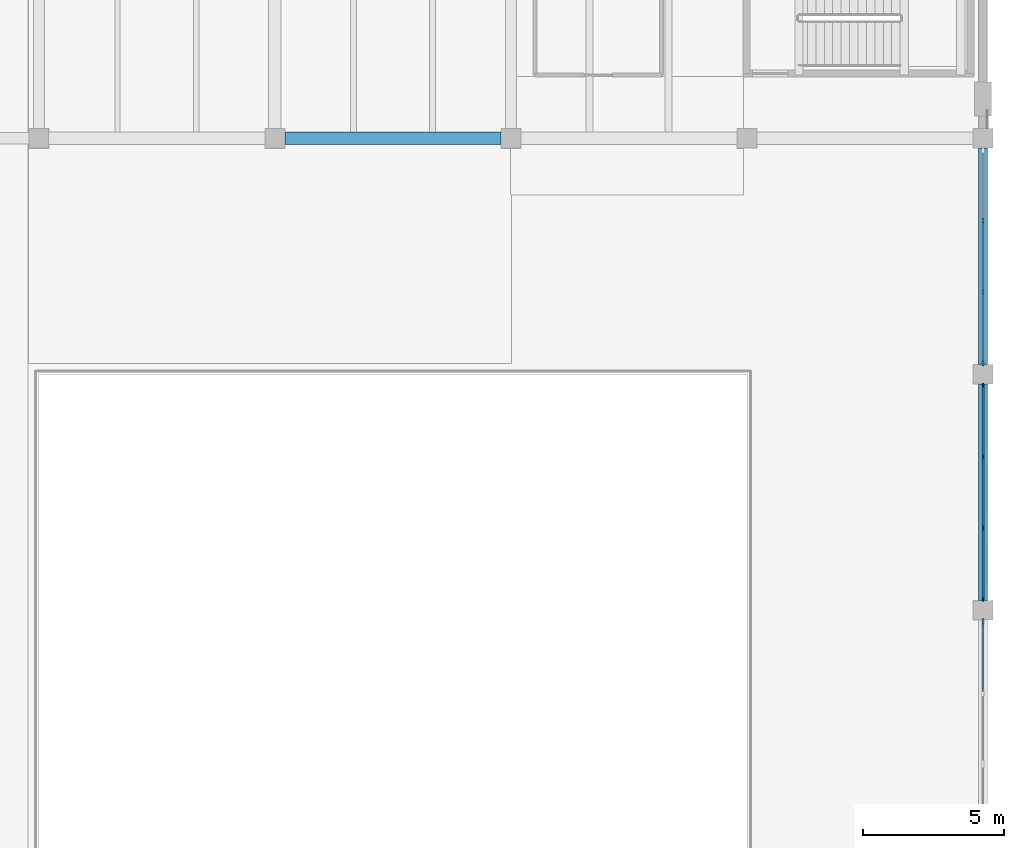
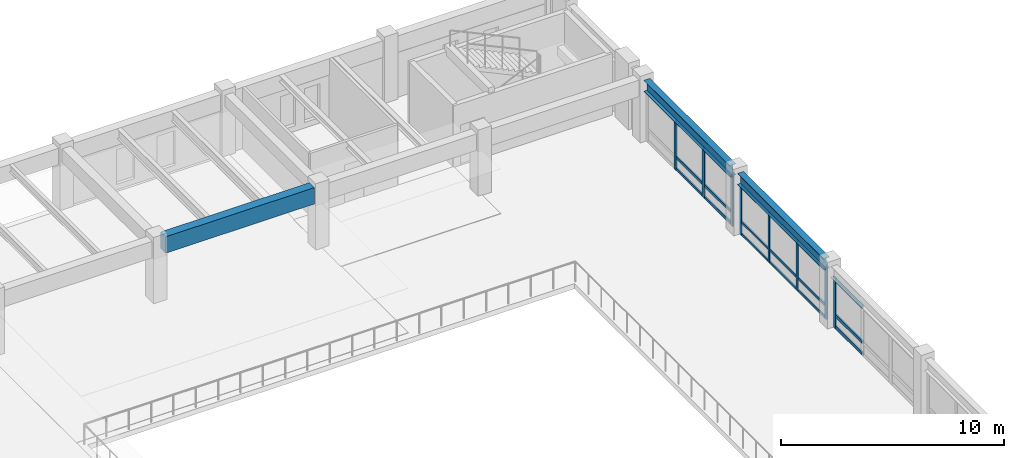
# One storey, part 45 of 118: 26 members, 3 beams, 3 elements without a shape of their own.
"""IFC4 building model written with IfcOpenShell, lengths in metres."""

from ifc_helpers import new_model, si_unit, direction, frame, origin, origin_2d, place, context, subcontext, project, spatial, rectangle, i_section, extrude, material, material_profile, profile_set, type_object, element, aggregate, save


model = new_model("IFC4")

# Units and contexts
model_context = context("Model", 3, precision=1e-05, world=origin(), true_north=direction((0.0, 1.0)))
body_context = subcontext(model_context, "Body", "Model", "MODEL_VIEW")
ifc_project = project(units=[si_unit("LENGTHUNIT", "METRE"), si_unit("AREAUNIT", "SQUARE_METRE"), si_unit("VOLUMEUNIT", "CUBIC_METRE"), si_unit("PLANEANGLEUNIT", "RADIAN"), si_unit("MASSUNIT", "GRAM", prefix="KILO")], contexts=[model_context])

# Site, building, storey
site_placement = place(None, origin())
site = spatial("IfcSite", under=ifc_project, at=site_placement, CompositionType="ELEMENT")
building_placement = place(site_placement, origin())
building = spatial("IfcBuilding", under=site, at=building_placement, Name="Cumbredor Promenade Congress Hotel", CompositionType="ELEMENT")
storey_placement = place(building_placement, frame((0.0, 0.0, 3.919921875)))
storey = spatial("IfcBuildingStorey", under=building, at=storey_placement, Name="L01", CompositionType="ELEMENT", Elevation=3.919921875)

# Curtain wall, members
ifc_material_1 = material(Name="Thermally broken anodized aluminium and low-E glass", Category="aluminium")
curtain_wall_type = type_object("IfcCurtainWallType", Name="Unitised Bronze Curtain Wall CW-01", PredefinedType="NOTDEFINED", material=ifc_material_1)
curtain_wall_1_placement = place(storey_placement, origin())
curtain_wall_1 = element("IfcCurtainWall", 1, at=curtain_wall_1_placement, inside=storey, type_object=curtain_wall_type, Name="L01 Grand Ballroom Pavilion East Curtain Wall 5", PredefinedType="NOTDEFINED")
ifc_material_2 = material(Name="Thermally broken anodized aluminium", Category="aluminium")
ifc_material_profile_1 = material_profile(ifc_material_2, rectangle(XDim=0.06494140625, YDim=0.159912109375, at=origin_2d()), Name="ALU MULLION 65x160")
ifc_profile_set_1 = profile_set([ifc_material_profile_1], Name="Thermally broken anodized aluminium")
member_type_1 = type_object("IfcMemberType", Name="Curtain Wall Mullion ML-01", PredefinedType="MULLION", material=ifc_profile_set_1)
member_1_placement = place(storey_placement, frame((184.800048828125, 42.405029296875, -0.0078125), z_axis=(0.0, 0.0, 1.0), x_axis=(1.0, 0.0, 0.0)))
member_1 = element("IfcMember", 2, at=member_1_placement, type_object=member_type_1, Name="L01 Grand Ballroom Pavilion East Curtain Wall 5 Mullion 1", PredefinedType="MULLION", context=body_context, shape_type="SweptSolid", body=[
    extrude(rectangle(XDim=0.06494140625, YDim=0.159912109375, at=origin_2d()), origin(), (0.0, 0.0, 1.0), 2.75),
])
member_2_placement = place(storey_placement, frame((184.800048828125, 44.93505859375, -0.0078125), z_axis=(0.0, 0.0, 1.0), x_axis=(1.0, 0.0, 0.0)))
member_2 = element("IfcMember", 3, at=member_2_placement, type_object=member_type_1, Name="L01 Grand Ballroom Pavilion East Curtain Wall 5 Mullion 2", PredefinedType="MULLION", context=body_context, shape_type="SweptSolid", body=[
    extrude(rectangle(XDim=0.06494140625, YDim=0.159912109375, at=origin_2d()), origin(), (0.0, 0.0, 1.0), 2.75),
])
member_3_placement = place(storey_placement, frame((184.800048828125, 47.465087890625, -0.0078125), z_axis=(0.0, 0.0, 1.0), x_axis=(1.0, 0.0, 0.0)))
member_3 = element("IfcMember", 4, at=member_3_placement, type_object=member_type_1, Name="L01 Grand Ballroom Pavilion East Curtain Wall 5 Mullion 3", PredefinedType="MULLION", context=body_context, shape_type="SweptSolid", body=[
    extrude(rectangle(XDim=0.06494140625, YDim=0.159912109375, at=origin_2d()), origin(), (0.0, 0.0, 1.0), 2.75),
])
member_4_placement = place(storey_placement, frame((184.800048828125, 49.9951171875, -0.0078125), z_axis=(0.0, 0.0, 1.0), x_axis=(1.0, 0.0, 0.0)))
member_4 = element("IfcMember", 5, at=member_4_placement, type_object=member_type_1, Name="L01 Grand Ballroom Pavilion East Curtain Wall 5 Mullion 4", PredefinedType="MULLION", context=body_context, shape_type="SweptSolid", body=[
    extrude(rectangle(XDim=0.06494140625, YDim=0.159912109375, at=origin_2d()), origin(), (0.0, 0.0, 1.0), 2.75),
])

curtain_wall_2_placement = place(storey_placement, origin())
curtain_wall_2 = element("IfcCurtainWall", 6, at=curtain_wall_2_placement, inside=storey, type_object=curtain_wall_type, Name="L01 Grand Ballroom Pavilion East Curtain Wall 6", PredefinedType="NOTDEFINED")
ifc_material_profile_2 = material_profile(ifc_material_2, rectangle(XDim=0.074951171875, YDim=0.199951171875, at=origin_2d()), Name="ALU MULLION 75x200")
ifc_profile_set_2 = profile_set([ifc_material_profile_2], Name="Thermally broken anodized aluminium")
member_type_2 = type_object("IfcMemberType", Name="Curtain Wall Mullion ML-02", PredefinedType="MULLION", material=ifc_profile_set_2)
member_5_placement = place(storey_placement, frame((184.800048828125, 50.804931640625, -0.0078125), z_axis=(0.0, 0.0, 1.0), x_axis=(1.0, 0.0, 0.0)))
member_5 = element("IfcMember", 7, at=member_5_placement, type_object=member_type_2, Name="L01 Grand Ballroom Pavilion East Curtain Wall 6 Mullion 1", PredefinedType="MULLION", context=body_context, shape_type="SweptSolid", body=[
    extrude(rectangle(XDim=0.074951171875, YDim=0.199951171875, at=origin_2d()), origin(), (0.0, 0.0, 1.0), 2.75),
])
member_6_placement = place(storey_placement, frame((184.800048828125, 53.3349609375, -0.0078125), z_axis=(0.0, 0.0, 1.0), x_axis=(1.0, 0.0, 0.0)))
member_6 = element("IfcMember", 8, at=member_6_placement, type_object=member_type_2, Name="L01 Grand Ballroom Pavilion East Curtain Wall 6 Mullion 2", PredefinedType="MULLION", context=body_context, shape_type="SweptSolid", body=[
    extrude(rectangle(XDim=0.074951171875, YDim=0.199951171875, at=origin_2d()), origin(), (0.0, 0.0, 1.0), 2.75),
])
member_7_placement = place(storey_placement, frame((184.800048828125, 55.864990234375, -0.0078125), z_axis=(0.0, 0.0, 1.0), x_axis=(1.0, 0.0, 0.0)))
member_7 = element("IfcMember", 9, at=member_7_placement, type_object=member_type_2, Name="L01 Grand Ballroom Pavilion East Curtain Wall 6 Mullion 3", PredefinedType="MULLION", context=body_context, shape_type="SweptSolid", body=[
    extrude(rectangle(XDim=0.074951171875, YDim=0.199951171875, at=origin_2d()), origin(), (0.0, 0.0, 1.0), 2.75),
])

# Curtain wall, member
curtain_wall_3_placement = place(storey_placement, origin())
curtain_wall_3 = element("IfcCurtainWall", 10, at=curtain_wall_3_placement, inside=storey, type_object=curtain_wall_type, Name="L01 Grand Ballroom Pavilion East Curtain Wall 4", PredefinedType="NOTDEFINED")
ifc_material_profile_3 = material_profile(ifc_material_2, rectangle(XDim=0.080078125, YDim=0.239990234375, at=origin_2d()), Name="ALU MULLION 80x240")
ifc_profile_set_3 = profile_set([ifc_material_profile_3], Name="Thermally broken anodized aluminium")
member_type_3 = type_object("IfcMemberType", Name="Curtain Wall Mullion ML-03", PredefinedType="MULLION", material=ifc_profile_set_3)
member_8_placement = place(storey_placement, frame((184.800048828125, 41.594970703125, -0.0078125), z_axis=(0.0, 0.0, 1.0), x_axis=(1.0, 0.0, 0.0)))
member_8 = element("IfcMember", 11, at=member_8_placement, type_object=member_type_3, Name="L01 Grand Ballroom Pavilion East Curtain Wall 4 Mullion 4", PredefinedType="MULLION", context=body_context, shape_type="SweptSolid", body=[
    extrude(rectangle(XDim=0.080078125, YDim=0.239990234375, at=origin_2d()), origin(), (0.0, 0.0, 1.0), 2.75),
])

# Member
ifc_material_profile_4 = material_profile(ifc_material_2, rectangle(XDim=0.06494140625, YDim=0.1298828125, at=origin_2d()), Name="ALU TRANSOM 65x130")
ifc_profile_set_4 = profile_set([ifc_material_profile_4], Name="Thermally broken anodized aluminium")
member_type_4 = type_object("IfcMemberType", Name="Curtain Wall Transom TR-01", PredefinedType="USERDEFINED", material=ifc_profile_set_4)
member_9_placement = place(storey_placement, frame((184.800048828125, 42.4375, 0.06005859375), z_axis=(0.0, 1.0, 0.0), x_axis=(-1.0, 0.0, 0.0)))
member_9 = element("IfcMember", 12, at=member_9_placement, type_object=member_type_4, Name="L01 Grand Ballroom Pavilion East Curtain Wall 5 Transom 1.1", ObjectType="TRANSOM", PredefinedType="USERDEFINED", context=body_context, shape_type="SweptSolid", body=[
    extrude(rectangle(XDim=0.06494140625, YDim=0.1298828125, at=origin_2d()), origin(), (0.0, 0.0, 1.0), 2.465087890625),
])

member_10_placement = place(storey_placement, frame((184.800048828125, 42.4375, 0.719970703125), z_axis=(0.0, 1.0, 0.0), x_axis=(-1.0, 0.0, 0.0)))
member_10 = element("IfcMember", 13, at=member_10_placement, type_object=member_type_4, Name="L01 Grand Ballroom Pavilion East Curtain Wall 5 Transom 1.2", ObjectType="TRANSOM", PredefinedType="USERDEFINED", context=body_context, shape_type="SweptSolid", body=[
    extrude(rectangle(XDim=0.06494140625, YDim=0.1298828125, at=origin_2d()), origin(), (0.0, 0.0, 1.0), 2.465087890625),
])

member_11_placement = place(storey_placement, frame((184.800048828125, 42.4375, 2.670166015625), z_axis=(0.0, 1.0, 0.0), x_axis=(-1.0, 0.0, 0.0)))
member_11 = element("IfcMember", 14, at=member_11_placement, type_object=member_type_4, Name="L01 Grand Ballroom Pavilion East Curtain Wall 5 Transom 1.3", ObjectType="TRANSOM", PredefinedType="USERDEFINED", context=body_context, shape_type="SweptSolid", body=[
    extrude(rectangle(XDim=0.06494140625, YDim=0.1298828125, at=origin_2d()), origin(), (0.0, 0.0, 1.0), 2.465087890625),
])

member_12_placement = place(storey_placement, frame((184.800048828125, 44.967529296875, 0.06005859375), z_axis=(0.0, 1.0, 0.0), x_axis=(-1.0, 0.0, 0.0)))
member_12 = element("IfcMember", 15, at=member_12_placement, type_object=member_type_4, Name="L01 Grand Ballroom Pavilion East Curtain Wall 5 Transom 2.1", ObjectType="TRANSOM", PredefinedType="USERDEFINED", context=body_context, shape_type="SweptSolid", body=[
    extrude(rectangle(XDim=0.06494140625, YDim=0.1298828125, at=origin_2d()), origin(), (0.0, 0.0, 1.0), 2.465087890625),
])

member_13_placement = place(storey_placement, frame((184.800048828125, 44.967529296875, 0.719970703125), z_axis=(0.0, 1.0, 0.0), x_axis=(-1.0, 0.0, 0.0)))
member_13 = element("IfcMember", 16, at=member_13_placement, type_object=member_type_4, Name="L01 Grand Ballroom Pavilion East Curtain Wall 5 Transom 2.2", ObjectType="TRANSOM", PredefinedType="USERDEFINED", context=body_context, shape_type="SweptSolid", body=[
    extrude(rectangle(XDim=0.06494140625, YDim=0.1298828125, at=origin_2d()), origin(), (0.0, 0.0, 1.0), 2.465087890625),
])

member_14_placement = place(storey_placement, frame((184.800048828125, 44.967529296875, 2.670166015625), z_axis=(0.0, 1.0, 0.0), x_axis=(-1.0, 0.0, 0.0)))
member_14 = element("IfcMember", 17, at=member_14_placement, type_object=member_type_4, Name="L01 Grand Ballroom Pavilion East Curtain Wall 5 Transom 2.3", ObjectType="TRANSOM", PredefinedType="USERDEFINED", context=body_context, shape_type="SweptSolid", body=[
    extrude(rectangle(XDim=0.06494140625, YDim=0.1298828125, at=origin_2d()), origin(), (0.0, 0.0, 1.0), 2.465087890625),
])

member_15_placement = place(storey_placement, frame((184.800048828125, 47.49755859375, 0.06005859375), z_axis=(0.0, 1.0, 0.0), x_axis=(-1.0, 0.0, 0.0)))
member_15 = element("IfcMember", 18, at=member_15_placement, type_object=member_type_4, Name="L01 Grand Ballroom Pavilion East Curtain Wall 5 Transom 3.1", ObjectType="TRANSOM", PredefinedType="USERDEFINED", context=body_context, shape_type="SweptSolid", body=[
    extrude(rectangle(XDim=0.06494140625, YDim=0.1298828125, at=origin_2d()), origin(), (0.0, 0.0, 1.0), 2.46484375),
])

member_16_placement = place(storey_placement, frame((184.800048828125, 47.49755859375, 0.719970703125), z_axis=(0.0, 1.0, 0.0), x_axis=(-1.0, 0.0, 0.0)))
member_16 = element("IfcMember", 19, at=member_16_placement, type_object=member_type_4, Name="L01 Grand Ballroom Pavilion East Curtain Wall 5 Transom 3.2", ObjectType="TRANSOM", PredefinedType="USERDEFINED", context=body_context, shape_type="SweptSolid", body=[
    extrude(rectangle(XDim=0.06494140625, YDim=0.1298828125, at=origin_2d()), origin(), (0.0, 0.0, 1.0), 2.46484375),
])

member_17_placement = place(storey_placement, frame((184.800048828125, 47.49755859375, 2.670166015625), z_axis=(0.0, 1.0, 0.0), x_axis=(-1.0, 0.0, 0.0)))
member_17 = element("IfcMember", 20, at=member_17_placement, type_object=member_type_4, Name="L01 Grand Ballroom Pavilion East Curtain Wall 5 Transom 3.3", ObjectType="TRANSOM", PredefinedType="USERDEFINED", context=body_context, shape_type="SweptSolid", body=[
    extrude(rectangle(XDim=0.06494140625, YDim=0.1298828125, at=origin_2d()), origin(), (0.0, 0.0, 1.0), 2.46484375),
])

aggregate(curtain_wall_1, [member_1, member_2, member_3, member_4, member_9, member_10, member_11, member_12, member_13, member_14, member_15, member_16, member_17])

ifc_material_profile_5 = material_profile(ifc_material_2, rectangle(XDim=0.074951171875, YDim=0.14990234375, at=origin_2d()), Name="ALU TRANSOM 75x150")
ifc_profile_set_5 = profile_set([ifc_material_profile_5], Name="Thermally broken anodized aluminium")
member_type_5 = type_object("IfcMemberType", Name="Curtain Wall Transom TR-02", PredefinedType="USERDEFINED", material=ifc_profile_set_5)
member_18_placement = place(storey_placement, frame((184.800048828125, 50.842529296875, 0.080078125), z_axis=(0.0, 1.0, 0.0), x_axis=(-1.0, 0.0, 0.0)))
member_18 = element("IfcMember", 21, at=member_18_placement, type_object=member_type_5, Name="L01 Grand Ballroom Pavilion East Curtain Wall 6 Transom 1.1", ObjectType="TRANSOM", PredefinedType="USERDEFINED", context=body_context, shape_type="SweptSolid", body=[
    extrude(rectangle(XDim=0.074951171875, YDim=0.14990234375, at=origin_2d()), origin(), (0.0, 0.0, 1.0), 2.455078125),
])

member_19_placement = place(storey_placement, frame((184.800048828125, 50.842529296875, 0.719970703125), z_axis=(0.0, 1.0, 0.0), x_axis=(-1.0, 0.0, 0.0)))
member_19 = element("IfcMember", 22, at=member_19_placement, type_object=member_type_5, Name="L01 Grand Ballroom Pavilion East Curtain Wall 6 Transom 1.2", ObjectType="TRANSOM", PredefinedType="USERDEFINED", context=body_context, shape_type="SweptSolid", body=[
    extrude(rectangle(XDim=0.074951171875, YDim=0.14990234375, at=origin_2d()), origin(), (0.0, 0.0, 1.0), 2.455078125),
])

member_20_placement = place(storey_placement, frame((184.800048828125, 50.842529296875, 2.66015625), z_axis=(0.0, 1.0, 0.0), x_axis=(-1.0, 0.0, 0.0)))
member_20 = element("IfcMember", 23, at=member_20_placement, type_object=member_type_5, Name="L01 Grand Ballroom Pavilion East Curtain Wall 6 Transom 1.3", ObjectType="TRANSOM", PredefinedType="USERDEFINED", context=body_context, shape_type="SweptSolid", body=[
    extrude(rectangle(XDim=0.074951171875, YDim=0.14990234375, at=origin_2d()), origin(), (0.0, 0.0, 1.0), 2.455078125),
])

member_21_placement = place(storey_placement, frame((184.800048828125, 53.37255859375, 0.080078125), z_axis=(0.0, 1.0, 0.0), x_axis=(-1.0, 0.0, 0.0)))
member_21 = element("IfcMember", 24, at=member_21_placement, type_object=member_type_5, Name="L01 Grand Ballroom Pavilion East Curtain Wall 6 Transom 2.1", ObjectType="TRANSOM", PredefinedType="USERDEFINED", context=body_context, shape_type="SweptSolid", body=[
    extrude(rectangle(XDim=0.074951171875, YDim=0.14990234375, at=origin_2d()), origin(), (0.0, 0.0, 1.0), 2.454833984375),
])

member_22_placement = place(storey_placement, frame((184.800048828125, 53.37255859375, 0.719970703125), z_axis=(0.0, 1.0, 0.0), x_axis=(-1.0, 0.0, 0.0)))
member_22 = element("IfcMember", 25, at=member_22_placement, type_object=member_type_5, Name="L01 Grand Ballroom Pavilion East Curtain Wall 6 Transom 2.2", ObjectType="TRANSOM", PredefinedType="USERDEFINED", context=body_context, shape_type="SweptSolid", body=[
    extrude(rectangle(XDim=0.074951171875, YDim=0.14990234375, at=origin_2d()), origin(), (0.0, 0.0, 1.0), 2.454833984375),
])

member_23_placement = place(storey_placement, frame((184.800048828125, 53.37255859375, 2.66015625), z_axis=(0.0, 1.0, 0.0), x_axis=(-1.0, 0.0, 0.0)))
member_23 = element("IfcMember", 26, at=member_23_placement, type_object=member_type_5, Name="L01 Grand Ballroom Pavilion East Curtain Wall 6 Transom 2.3", ObjectType="TRANSOM", PredefinedType="USERDEFINED", context=body_context, shape_type="SweptSolid", body=[
    extrude(rectangle(XDim=0.074951171875, YDim=0.14990234375, at=origin_2d()), origin(), (0.0, 0.0, 1.0), 2.454833984375),
])

aggregate(curtain_wall_2, [member_5, member_6, member_7, member_18, member_19, member_20, member_21, member_22, member_23])

ifc_material_profile_6 = material_profile(ifc_material_2, rectangle(XDim=0.080078125, YDim=0.179931640625, at=origin_2d()), Name="ALU TRANSOM 80x180")
ifc_profile_set_6 = profile_set([ifc_material_profile_6], Name="Thermally broken anodized aluminium")
member_type_6 = type_object("IfcMemberType", Name="Curtain Wall Transom TR-03", PredefinedType="USERDEFINED", material=ifc_profile_set_6)
member_24_placement = place(storey_placement, frame((184.800048828125, 39.10498046875, 0.090087890625), z_axis=(0.0, 1.0, 0.0), x_axis=(-1.0, 0.0, 0.0)))
member_24 = element("IfcMember", 27, at=member_24_placement, type_object=member_type_6, Name="L01 Grand Ballroom Pavilion East Curtain Wall 4 Transom 3.1", ObjectType="TRANSOM", PredefinedType="USERDEFINED", context=body_context, shape_type="SweptSolid", body=[
    extrude(rectangle(XDim=0.080078125, YDim=0.179931640625, at=origin_2d()), origin(), (0.0, 0.0, 1.0), 2.449951171875),
])

member_25_placement = place(storey_placement, frame((184.800048828125, 39.10498046875, 0.719970703125), z_axis=(0.0, 1.0, 0.0), x_axis=(-1.0, 0.0, 0.0)))
member_25 = element("IfcMember", 28, at=member_25_placement, type_object=member_type_6, Name="L01 Grand Ballroom Pavilion East Curtain Wall 4 Transom 3.2", ObjectType="TRANSOM", PredefinedType="USERDEFINED", context=body_context, shape_type="SweptSolid", body=[
    extrude(rectangle(XDim=0.080078125, YDim=0.179931640625, at=origin_2d()), origin(), (0.0, 0.0, 1.0), 2.449951171875),
])

member_26_placement = place(storey_placement, frame((184.800048828125, 39.10498046875, 2.64013671875), z_axis=(0.0, 1.0, 0.0), x_axis=(-1.0, 0.0, 0.0)))
member_26 = element("IfcMember", 29, at=member_26_placement, type_object=member_type_6, Name="L01 Grand Ballroom Pavilion East Curtain Wall 4 Transom 3.3", ObjectType="TRANSOM", PredefinedType="USERDEFINED", context=body_context, shape_type="SweptSolid", body=[
    extrude(rectangle(XDim=0.080078125, YDim=0.179931640625, at=origin_2d()), origin(), (0.0, 0.0, 1.0), 2.449951171875),
])

aggregate(curtain_wall_3, [member_8, member_24, member_25, member_26])

# Beams
ifc_material_3 = material(Name="Concrete C40/50", Category="concrete")
ifc_material_profile_7 = material_profile(ifc_material_3, rectangle(XDim=0.449951171875, YDim=0.89990234375, at=origin_2d()), Name="RC SPANDREL 450x900")
ifc_profile_set_7 = profile_set([ifc_material_profile_7], Name="Concrete C40/50")
beam_type_1 = type_object("IfcBeamType", Name="SP-RC-450x900", PredefinedType="SPANDREL", material=ifc_profile_set_7)
beam_placement = place(storey_placement, frame((159.949951171875, 58.800048828125, 2.91015625), z_axis=(1.0, 0.0, 0.0), x_axis=(0.0, 1.0, 0.0)))
element("IfcBeam", 30, at=beam_placement, inside=storey, type_object=beam_type_1, Name="L02 X-Grid Beam 249", PredefinedType="SPANDREL", context=body_context, shape_type="SweptSolid", body=[
    extrude(rectangle(XDim=0.449951171875, YDim=0.89990234375, at=origin_2d()), origin(), (0.0, 0.0, 1.0), 7.699951171875),
])
ifc_material_4 = material(Name="Steel ASTM A992 Grade 50", Category="steel")
ifc_material_profile_8 = material_profile(ifc_material_4, i_section(OverallWidth=0.323974609375, OverallDepth=0.611083984375, WebThickness=0.0126953125, FlangeThickness=0.01904296875, at=origin_2d()), Name="W24X104")
ifc_profile_set_8 = profile_set([ifc_material_profile_8], Name="Steel ASTM A992 Grade 50")
beam_type_2 = type_object("IfcBeamType", Name="SP-W24X104", PredefinedType="SPANDREL", material=ifc_profile_set_8)
for number, where, z_axis, x_axis, name in (
    (31, (184.800048828125, 42.35009765625, 3.0546875), (0.0, 1.0, 0.0), (-1.0, 0.0, 0.0), "L02 Y-Grid Beam 286"),
    (32, (184.800048828125, 50.75, 3.0546875), (0.0, 1.0, 0.0), (-1.0, 0.0, 0.0), "L02 Y-Grid Beam 287"),
):
    element("IfcBeam", number, at=place(storey_placement, frame(where, z_axis=z_axis, x_axis=x_axis)), inside=storey, type_object=beam_type_2, Name=name, PredefinedType="SPANDREL", context=body_context, shape_type="SweptSolid", body=[
        extrude(i_section(OverallWidth=0.323974609375, OverallDepth=0.611083984375, WebThickness=0.0126953125, FlangeThickness=0.01904296875, at=origin_2d()), origin(), (0.0, 0.0, 1.0), 7.699951171875),
    ])

save(model, "model.ifc")
